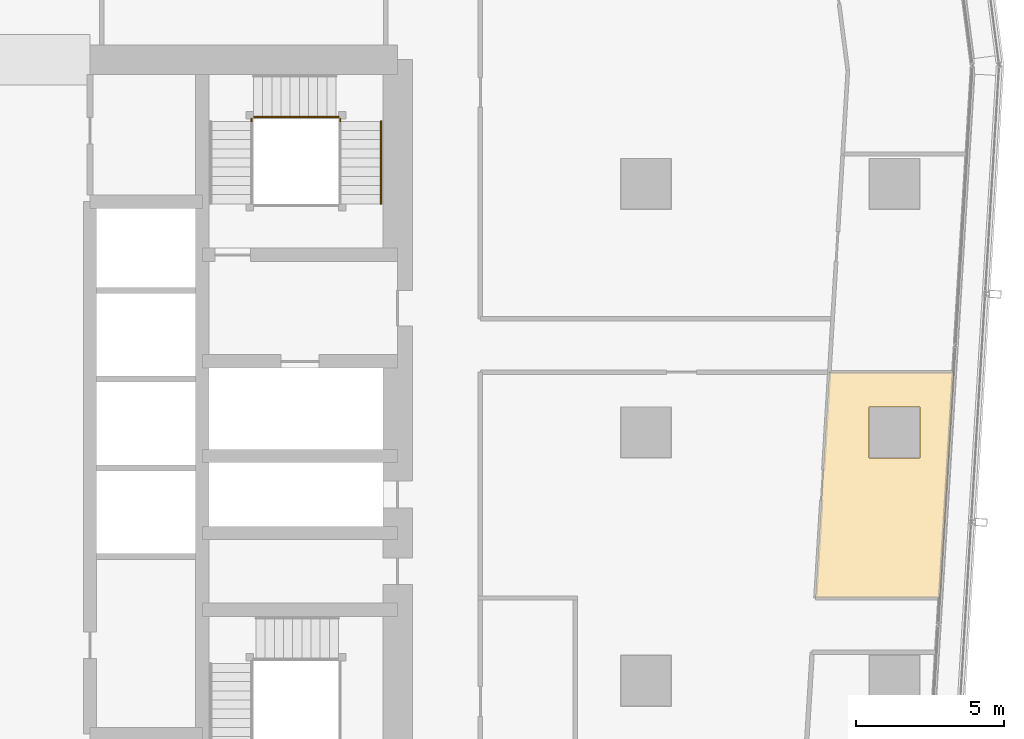
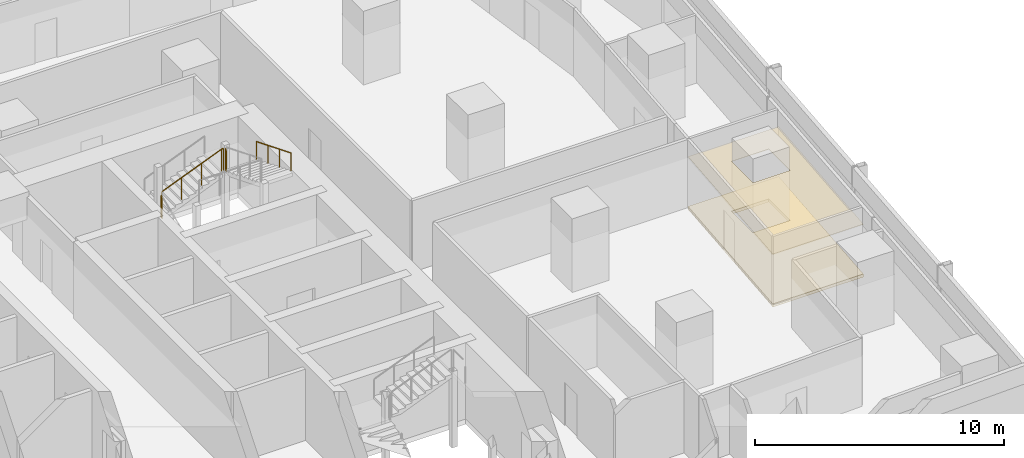
# One storey, part 39 of 40: 5 railings, 2 coverings.
"""IFC4 building model written with IfcOpenShell, lengths in metres."""

import ifcopenshell
import ifcopenshell.guid

model = None  # the IFC model being written
_history = None  # IfcOwnerHistory: only IFC2X3 demands one
_inside = {}  # id of a spatial element -> (the spatial element, [elements in it])
_under = {}  # id of a project, library or spatial element -> (it, [spatial elements below it])
_declared = {}  # id of a project -> (the project, [libraries it declares])
_typed = {}  # id of a type object -> (the type object, [elements of that type])
_made_of = {}  # id of a material, layer set ... -> (it, [elements and type objects made of it])


def new_model(schema):
    """Start an empty IFC model of exactly this schema.

    Asked for "IFC4X3", IfcOpenShell would pick the latest addendum, in which some entities
    have other attributes; the version numbers below select the first issue.
    IFC2X3 requires an IfcOwnerHistory on every rooted entity: one is made here for all.
    """
    global model, _history
    if schema == "IFC4X3":
        model = ifcopenshell.file(schema_version=(4, 3, 0, 0))
    else:
        model = ifcopenshell.file(schema=schema)
    _inside.clear()
    _under.clear()
    _declared.clear()
    _typed.clear()
    _made_of.clear()
    _history = None
    if model.schema == "IFC2X3":
        org = make("IfcOrganization", Name="unknown")
        user = make(
            "IfcPersonAndOrganization",
            ThePerson=make("IfcPerson", FamilyName="unknown"),
            TheOrganization=org,
        )
        app = make(
            "IfcApplication",
            ApplicationDeveloper=org,
            Version="unknown",
            ApplicationFullName="unknown",
            ApplicationIdentifier="unknown",
        )
        _history = make(
            "IfcOwnerHistory",
            OwningUser=user,
            OwningApplication=app,
            ChangeAction="ADDED",
            CreationDate=0,
        )
    return model


def make(cls, **values):
    """One entity of the class cls with the attributes given. An attribute that is None is left unset."""
    return model.create_entity(
        cls, **{name: value for name, value in values.items() if value is not None}
    )


def rooted(cls, **values):
    """An entity with a GlobalId (a new one), such as an element, a storey or a relation."""
    return make(cls, GlobalId=ifcopenshell.guid.new(), OwnerHistory=_history, **values)


def si_unit(unit_type, name, prefix=None):
    """IfcSIUnit, for example si_unit("LENGTHUNIT", "METRE", prefix="MILLI")."""
    return make("IfcSIUnit", UnitType=unit_type, Prefix=prefix, Name=name)


def assignment(units):
    """IfcUnitAssignment: the units of a project."""
    return None if units is None else make("IfcUnitAssignment", Units=units)


def point(xyz):
    """IfcCartesianPoint."""
    return None if xyz is None else make("IfcCartesianPoint", Coordinates=xyz)


def direction(xyz):
    """IfcDirection."""
    return None if xyz is None else make("IfcDirection", DirectionRatios=xyz)


def frame(location, z_axis=None, x_axis=None):
    """IfcAxis2Placement3D, a coordinate frame: its origin and axes. An axis left out is left unset."""
    return make(
        "IfcAxis2Placement3D",
        Location=point(location),
        Axis=direction(z_axis),
        RefDirection=direction(x_axis),
    )


def frame_2d(location, x_axis=None):
    """IfcAxis2Placement2D, a coordinate frame in the plane: its origin and x axis."""
    return make(
        "IfcAxis2Placement2D", Location=point(location), RefDirection=direction(x_axis)
    )


def origin():
    """The frame at (0, 0, 0) with its axes left unset."""
    return frame((0.0, 0.0, 0.0))


def origin_2d():
    """The frame at (0, 0) in the plane with its x axis left unset."""
    return frame_2d((0.0, 0.0))


def place(relative_to, where):
    """IfcLocalPlacement: puts the frame where relative to a parent placement (None: the world)."""
    return make(
        "IfcLocalPlacement", PlacementRelTo=relative_to, RelativePlacement=where
    )


def context(
    kind, dimensions, precision=None, world=None, true_north=None, identifier=None
):
    """IfcGeometricRepresentationContext, for example the 3D "Model" context."""
    return make(
        "IfcGeometricRepresentationContext",
        ContextIdentifier=identifier,
        ContextType=kind,
        CoordinateSpaceDimension=dimensions,
        Precision=precision,
        WorldCoordinateSystem=world,
        TrueNorth=true_north,
    )


def subcontext(parent, identifier, kind, view, scale=None):
    """IfcGeometricRepresentationSubContext, for example "Body" below "Model"."""
    return make(
        "IfcGeometricRepresentationSubContext",
        ContextIdentifier=identifier,
        ContextType=kind,
        ParentContext=parent,
        TargetScale=scale,
        TargetView=view,
    )


def project(units=None, contexts=None):
    """IfcProject with its units and contexts."""
    return rooted(
        "IfcProject",
        Name="project",
        RepresentationContexts=contexts,
        UnitsInContext=assignment(units),
    )


def spatial(cls, under=None, at=None, **own):
    """A site, building, storey or space (cls), placed at a placement, below another one or the project."""
    s = rooted(cls, ObjectPlacement=at, **own)
    if under is not None:
        _under.setdefault(under.id(), (under, []))[1].append(s)
    return s


def polyline(points):
    """IfcPolyline through the points."""
    return make("IfcPolyline", Points=[point(p) for p in points])


def profile(cls, at=None, kind="AREA", **sizes):
    """A parametric profile (cls). Its sizes go by their IFC names, for example OverallWidth=200.0."""
    return make(cls, ProfileType=kind, Position=at, **sizes)


def circle(**sizes):
    """IfcCircleProfileDef."""
    return profile("IfcCircleProfileDef", **sizes)


def outline(outer, holes=None, kind="AREA"):
    """IfcArbitraryClosedProfileDef: a profile drawn as a closed curve; with holes, ...WithVoids."""
    if holes is None:
        return make("IfcArbitraryClosedProfileDef", ProfileType=kind, OuterCurve=outer)
    return make(
        "IfcArbitraryProfileDefWithVoids",
        ProfileType=kind,
        OuterCurve=outer,
        InnerCurves=holes,
    )


def extrude(swept, where, along, depth):
    """IfcExtrudedAreaSolid: the profile swept, set in the frame where, extruded along a direction by depth."""
    return make(
        "IfcExtrudedAreaSolid",
        SweptArea=swept,
        Position=where,
        ExtrudedDirection=direction(along),
        Depth=depth,
    )


def shape(context_of_items, identifier, shape_type, items):
    """IfcShapeRepresentation: the items that make up one representation, for example the "Body"."""
    return make(
        "IfcShapeRepresentation",
        ContextOfItems=context_of_items,
        RepresentationIdentifier=identifier,
        RepresentationType=shape_type,
        Items=items,
    )


def material(Name=None, Category=None):
    """IfcMaterial."""
    return make("IfcMaterial", Name=Name, Category=Category)


def layer(
    of_material, thickness, ventilated=None, Name=None, Category=None, Priority=None
):
    """IfcMaterialLayer: one layer of a wall or slab, of a material (None: an air gap)."""
    return make(
        "IfcMaterialLayer",
        Material=of_material,
        LayerThickness=thickness,
        IsVentilated=ventilated,
        Name=Name,
        Category=Category,
        Priority=Priority,
    )


def layer_set(layers, Name=None):
    """IfcMaterialLayerSet."""
    return make("IfcMaterialLayerSet", MaterialLayers=layers, LayerSetName=Name)


def made_of(thing, what):
    """Note that an element or type object is made of a material, layer set ...; save() writes the relation."""
    if what is not None:
        _made_of.setdefault(what.id(), (what, []))[1].append(thing)
    return thing


def type_object(cls, material=None, **own):
    """A type object (cls), such as IfcWallType, which elements share."""
    return made_of(rooted(cls, **own), material)


def element(
    cls,
    number,
    at=None,
    inside=None,
    cuts=None,
    type_object=None,
    material=None,
    context=None,
    identifier="Body",
    shape_type=None,
    held_by="IfcProductDefinitionShape",
    body=None,
    shapes=None,
    **own,
):
    """One element of the class cls, such as IfcWall. Its Tag is "e" and its number.

    at: its placement. inside: the storey or other place that contains it. cuts: it is an
    opening in that element (IfcRelVoidsElement). A single representation is given by context,
    identifier, shape_type and body (its items); several are given by shapes. held_by: the class
    of the entity that holds the representations. save() writes the other relations.
    """
    e = rooted(cls, Tag="e%d" % number, ObjectPlacement=at, **own)
    if body is not None:
        shapes = [shape(context, identifier, shape_type, body)]
    if shapes is not None:
        e.Representation = make(held_by, Representations=shapes)
    if inside is not None:
        _inside.setdefault(inside.id(), (inside, []))[1].append(e)
    if cuts is not None:
        rooted(
            "IfcRelVoidsElement", RelatingBuildingElement=cuts, RelatedOpeningElement=e
        )
    if type_object is not None:
        _typed.setdefault(type_object.id(), (type_object, []))[1].append(e)
    return made_of(e, material)


def aggregate(whole, parts):
    """IfcRelAggregates: a whole, such as a stair, and the parts it consists of."""
    return rooted("IfcRelAggregates", RelatingObject=whole, RelatedObjects=parts)


def save(model, path):
    """Write the relations noted so far, then the file.

    IfcRelAggregates (storeys below a building ...), IfcRelContainedInSpatialStructure (elements
    in a storey), IfcRelDefinesByType, IfcRelAssociatesMaterial and IfcRelDeclares: one each for
    every whole, place, type object, material and project.
    """
    for whole, parts in _under.values():
        aggregate(whole, parts)
    for where, things in _inside.values():
        rooted(
            "IfcRelContainedInSpatialStructure",
            RelatedElements=things,
            RelatingStructure=where,
        )
    for kind, things in _typed.values():
        rooted("IfcRelDefinesByType", RelatedObjects=things, RelatingType=kind)
    for what, things in _made_of.values():
        rooted("IfcRelAssociatesMaterial", RelatedObjects=things, RelatingMaterial=what)
    for by, libraries in _declared.values():
        rooted("IfcRelDeclares", RelatingContext=by, RelatedDefinitions=libraries)
    model.write(path)


model = new_model("IFC4")

# Units and contexts
model_context = context("Model", 3, precision=1e-05, world=origin(), true_north=direction((0.0, 1.0)))
body_context = subcontext(model_context, "Body", "Model", "MODEL_VIEW")
ifc_project = project(units=[si_unit("LENGTHUNIT", "METRE"), si_unit("AREAUNIT", "SQUARE_METRE"), si_unit("VOLUMEUNIT", "CUBIC_METRE"), si_unit("PLANEANGLEUNIT", "RADIAN"), si_unit("MASSUNIT", "GRAM", prefix="KILO")], contexts=[model_context])

# Site, building, storey
site_placement = place(None, origin())
site = spatial("IfcSite", under=ifc_project, at=site_placement, CompositionType="ELEMENT")
building_placement = place(site_placement, origin())
building = spatial("IfcBuilding", under=site, at=building_placement, Name="Rekha Terrace Tower", CompositionType="ELEMENT")
storey_placement = place(building_placement, frame((0.0, 0.0, 125.300048828125)))
storey = spatial("IfcBuildingStorey", under=building, at=storey_placement, Name="L31", CompositionType="ELEMENT", Elevation=125.300048828125)

# Covering
ifc_material_1 = material(Name="Mineral fibre tile in exposed grid", Category="finish")
ifc_layer_1 = layer(ifc_material_1, 0.02001953125)
ifc_layer_set_1 = layer_set([ifc_layer_1], Name="Mineral fibre tile in exposed grid")
covering_type_1 = type_object("IfcCoveringType", Name="CL1 600x1200 office grid ceiling", PredefinedType="CEILING", material=ifc_layer_set_1)
covering_1_placement = place(storey_placement, frame((0.0, 0.0, 2.579833984375)))
element("IfcCovering", 1, at=covering_1_placement, inside=storey, type_object=covering_type_1, Name="Ceiling L31-02", PredefinedType="CEILING", context=body_context, shape_type="SweptSolid", body=[
    extrude(outline(polyline([(68.735107421875, 28.0009765625), (69.202880859375, 35.633056640625), (64.9951171875, 35.633056640625), (64.527099609375, 28.0009765625), (68.735107421875, 28.0009765625)]), holes=[polyline([(68.06494140625, 34.465087890625), (68.06494140625, 32.735107421875), (66.3349609375, 32.735107421875), (66.3349609375, 34.465087890625), (68.06494140625, 34.465087890625)])]), origin(), (0.0, 0.0, 1.0), 0.02001953125),
])

# Railings
ifc_material_2 = material(Name="Stainless steel balustrade", Category="steel")
railing_type_1 = type_object("IfcRailingType", Name="GR1 1100 stair guard", PredefinedType="GUARDRAIL", material=ifc_material_2)
railing_1_placement = place(storey_placement, frame((45.52490234375, 44.260009765625, 1.375)))
element("IfcRailing", 2, at=railing_1_placement, inside=storey, type_object=railing_type_1, Name="Guard ST2 L31 flight 2", PredefinedType="GUARDRAIL", context=body_context, shape_type="SweptSolid", body=[
    extrude(circle(Radius=0.02392578125, at=origin_2d()), frame((0.0, 0.0, 1.076171875), z_axis=(0.927443287984, 0.0, 0.373963831907), x_axis=(0.0, 1.0, 0.0)), (0.0, 0.0, 1.0), 3.00830078125),
    extrude(circle(Radius=0.02099609375, at=origin_2d()), origin(), (0.0, 0.0, 1.0), 1.052001953125),
    extrude(circle(Radius=0.02099609375, at=origin_2d()), frame((0.929931640625, 0.0, 0.375)), (0.0, 0.0, 1.0), 1.052001953125),
    extrude(circle(Radius=0.02099609375, at=origin_2d()), frame((1.860107421875, 0.0, 0.75)), (0.0, 0.0, 1.0), 1.052001953125),
    extrude(circle(Radius=0.02099609375, at=origin_2d()), frame((2.7900390625, 0.0, 1.125)), (0.0, 0.0, 1.0), 1.052001953125),
])
railing_2_placement = place(storey_placement, frame((45.465087890625, 44.114990234375, 1.25)))
element("IfcRailing", 3, at=railing_2_placement, inside=storey, type_object=railing_type_1, Name="Guard ST2 L31 landing 1", PredefinedType="GUARDRAIL", context=body_context, shape_type="SweptSolid", body=[
    extrude(circle(Radius=0.02392578125, at=origin_2d()), frame((0.0, 0.0, 1.076171875), z_axis=(0.0, 1.0, 0.0), x_axis=(-1.0, 0.0, 0.0)), (0.0, 0.0, 1.0), 0.0849609375),
    extrude(circle(Radius=0.02099609375, at=origin_2d()), origin(), (0.0, 0.0, 1.0), 1.052001953125),
    extrude(circle(Radius=0.02099609375, at=origin_2d()), frame((0.0, 0.0849609375, 0.0)), (0.0, 0.0, 1.0), 1.052001953125),
])
railing_3_placement = place(storey_placement, frame((48.31494140625, 44.260009765625, 2.5)))
element("IfcRailing", 4, at=railing_3_placement, inside=storey, type_object=railing_type_1, Name="Guard ST2 L31 landing 2", PredefinedType="GUARDRAIL", context=body_context, shape_type="SweptSolid", body=[
    extrude(circle(Radius=0.02392578125, at=origin_2d()), frame((0.0, 0.0, 1.076171875), z_axis=(1.0, 0.0, 0.0), x_axis=(0.0, 1.0, 0.0)), (0.0, 0.0, 1.0), 0.0849609375),
    extrude(circle(Radius=0.02099609375, at=origin_2d()), origin(), (0.0, 0.0, 1.0), 1.052001953125),
    extrude(circle(Radius=0.02099609375, at=origin_2d()), frame((0.0849609375, 0.0, 0.0)), (0.0, 0.0, 1.0), 1.052001953125),
])
railing_4_placement = place(storey_placement, frame((48.4599609375, 44.114990234375, 2.5)))
element("IfcRailing", 5, at=railing_4_placement, inside=storey, type_object=railing_type_1, Name="Guard ST2 L31 landing 3", PredefinedType="GUARDRAIL", context=body_context, shape_type="SweptSolid", body=[
    extrude(circle(Radius=0.02392578125, at=origin_2d()), frame((0.0, 0.0, 1.076171875), z_axis=(0.0, 1.0, 0.0), x_axis=(-1.0, 0.0, 0.0)), (0.0, 0.0, 1.0), 0.0849609375),
    extrude(circle(Radius=0.02099609375, at=origin_2d()), origin(), (0.0, 0.0, 1.0), 1.052001953125),
    extrude(circle(Radius=0.02099609375, at=origin_2d()), frame((0.0, 0.0849609375, 0.0)), (0.0, 0.0, 1.0), 1.052001953125),
])
ifc_material_3 = material(Name="Stainless steel tube", Category="steel")
railing_type_2 = type_object("IfcRailingType", Name="HR1 900 stair handrail", PredefinedType="HANDRAIL", material=ifc_material_3)
railing_5_placement = place(storey_placement, frame((49.840087890625, 44.114990234375, 2.625)))
element("IfcRailing", 6, at=railing_5_placement, inside=storey, type_object=railing_type_2, Name="Handrail ST2 L31 flight 3", PredefinedType="HANDRAIL", context=body_context, shape_type="SweptSolid", body=[
    extrude(circle(Radius=0.02392578125, at=origin_2d()), frame((0.0, 0.0, 0.8759765625), z_axis=(0.0, -0.927443287984, 0.373963831907), x_axis=(1.0, 0.0, 0.0)), (0.0, 0.0, 1.0), 3.00830078125),
    extrude(circle(Radius=0.02099609375, at=origin_2d()), origin(), (0.0, 0.0, 1.0), 0.851806640625),
    extrude(circle(Radius=0.02099609375, at=origin_2d()), frame((0.0, -0.929931640625, 0.375)), (0.0, 0.0, 1.0), 0.851806640625),
    extrude(circle(Radius=0.02099609375, at=origin_2d()), frame((0.0, -1.860107421875, 0.75)), (0.0, 0.0, 1.0), 0.851806640625),
    extrude(circle(Radius=0.02099609375, at=origin_2d()), frame((0.0, -2.7900390625, 1.125)), (0.0, 0.0, 1.0), 0.851806640625),
])

# Covering
ifc_material_4 = material(Name="Calcium sulphate panels on steel pedestals", Category="steel")
ifc_layer_2 = layer(ifc_material_4, 0.14990234375)
ifc_layer_set_2 = layer_set([ifc_layer_2], Name="Calcium sulphate panels on steel pedestals")
covering_type_2 = type_object("IfcCoveringType", Name="RF1 150 raised access floor", PredefinedType="FLOORING", material=ifc_layer_set_2)
covering_2_placement = place(storey_placement, origin())
element("IfcCovering", 7, at=covering_2_placement, inside=storey, type_object=covering_type_2, Name="Raised floor L31-02", PredefinedType="FLOORING", context=body_context, shape_type="SweptSolid", body=[
    extrude(outline(polyline([(68.735107421875, 28.0009765625), (69.202880859375, 35.633056640625), (64.9951171875, 35.633056640625), (64.527099609375, 28.0009765625), (68.735107421875, 28.0009765625)]), holes=[polyline([(68.06494140625, 34.465087890625), (68.06494140625, 32.735107421875), (66.3349609375, 32.735107421875), (66.3349609375, 34.465087890625), (68.06494140625, 34.465087890625)])]), origin(), (0.0, 0.0, 1.0), 0.14990234375),
])

save(model, "model.ifc")
